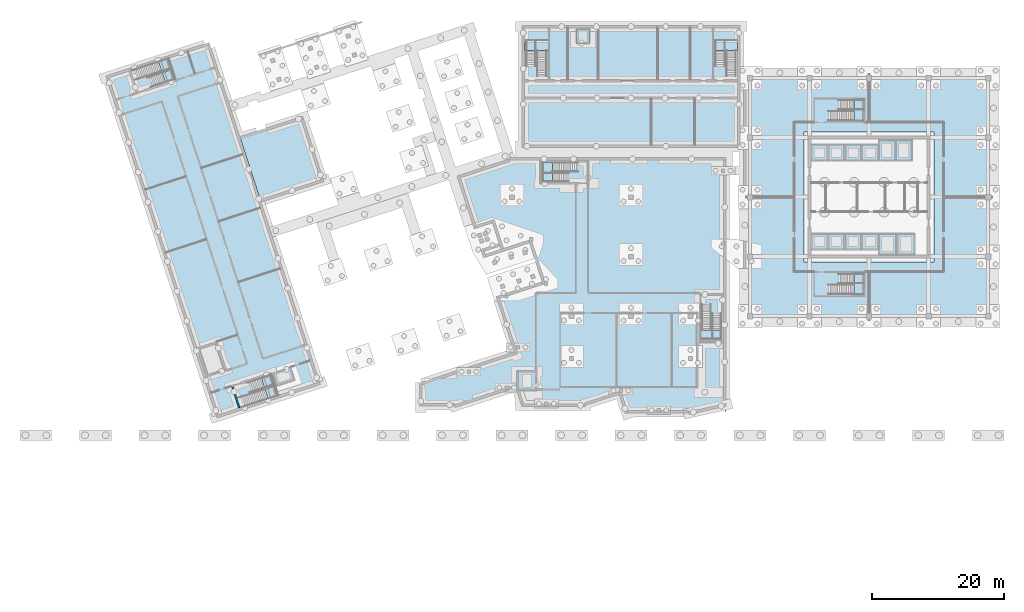
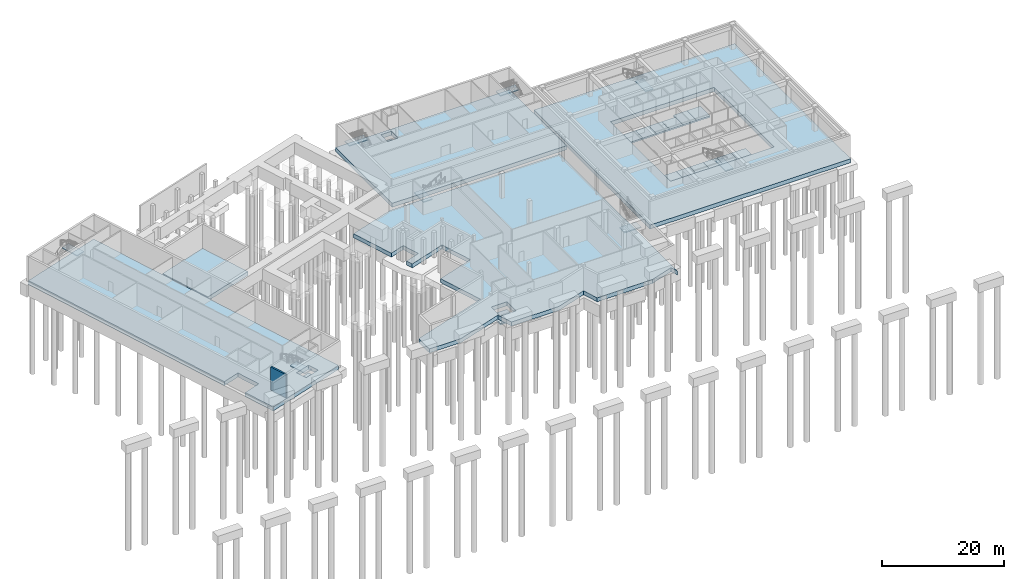
# One storey, part 6 of 17: 28 slabs, 1 wall, 8 elements without a shape of their own.
"""IFC4 building model written with IfcOpenShell, lengths in metres."""

from ifc_helpers import new_model, si_unit, direction, frame, frame_2d, origin, place, context, subcontext, project, spatial, polyline, rectangle, outline, extrude, material, layer, layer_set, type_object, element, aggregate, save


model = new_model("IFC4")

# Units and contexts
model_context = context("Model", 3, precision=1e-05, world=origin(), true_north=direction((0.0, 1.0)))
body_context = subcontext(model_context, "Body", "Model", "MODEL_VIEW")
ifc_project = project(units=[si_unit("LENGTHUNIT", "METRE"), si_unit("AREAUNIT", "SQUARE_METRE"), si_unit("VOLUMEUNIT", "CUBIC_METRE"), si_unit("PLANEANGLEUNIT", "RADIAN"), si_unit("MASSUNIT", "GRAM", prefix="KILO")], contexts=[model_context])

# Site, building, storey
site_placement = place(None, origin())
site = spatial("IfcSite", under=ifc_project, at=site_placement, CompositionType="ELEMENT")
building_placement = place(site_placement, origin())
building = spatial("IfcBuilding", under=site, at=building_placement, Name="Tuart Plaza Theatre", CompositionType="ELEMENT")
storey_placement = place(building_placement, frame((0.0, 0.0, -10.0)))
storey = spatial("IfcBuildingStorey", under=building, at=storey_placement, Name="B2", CompositionType="ELEMENT", Elevation=-10.0)

# Slabs
ifc_material_1 = material(Name="Concrete N40 (40 MPa)", Category="concrete")
ifc_layer_1 = layer(ifc_material_1, 0.300048828125)
ifc_layer_set_1 = layer_set([ifc_layer_1], Name="SLAB Base 300 Concrete N40 (40 MPa)")
slab_type_1 = type_object("IfcSlabType", Name="SLAB Base 300 Concrete N40 (40 MPa)", PredefinedType="BASESLAB", material=ifc_layer_set_1)
slab_1_placement = place(storey_placement, frame((0.0, 0.0, -1.800048828125)))
element("IfcSlab", 1, at=slab_1_placement, inside=storey, type_object=slab_type_1, Name="S14", PredefinedType="BASESLAB", context=body_context, shape_type="SweptSolid", body=[
    extrude(outline(polyline([(45.178466796875, 46.321533203125), (44.529541015625, 48.31884765625), (41.771484375, 47.422607421875), (42.42041015625, 45.425537109375), (45.178466796875, 46.321533203125)])), origin(), (0.0, 0.0, 1.0), 0.300048828125),
])
slab_2_placement = place(storey_placement, frame((0.0, 0.0, -1.800048828125)))
element("IfcSlab", 2, at=slab_2_placement, inside=storey, type_object=slab_type_1, Name="S64", PredefinedType="BASESLAB", context=body_context, shape_type="SweptSolid", body=[
    extrude(outline(polyline([(81.75, 44.75), (81.75, 47.75), (78.75, 47.75), (78.75, 44.75), (81.75, 44.75)])), origin(), (0.0, 0.0, 1.0), 0.300048828125),
])
slab_3_placement = place(storey_placement, frame((0.0, 0.0, -1.800048828125)))
element("IfcSlab", 3, at=slab_3_placement, inside=storey, type_object=slab_type_1, Name="S111", PredefinedType="BASESLAB", context=body_context, shape_type="SweptSolid", body=[
    extrude(outline(polyline([(89.739990234375, 97.199951171875), (89.739990234375, 99.39990234375), (87.739990234375, 99.39990234375), (87.739990234375, 97.199951171875), (89.739990234375, 97.199951171875)])), origin(), (0.0, 0.0, 1.0), 0.300048828125),
])
slab_4_placement = place(storey_placement, frame((0.0, 0.0, -2.199951171875)))
element("IfcSlab", 4, at=slab_4_placement, inside=storey, type_object=slab_type_1, Name="S112", PredefinedType="BASESLAB", context=body_context, shape_type="SweptSolid", body=[
    extrude(outline(polyline([(125.77490234375, 66.02490234375), (125.77490234375, 68.52490234375), (123.22509765625, 68.52490234375), (123.22509765625, 66.02490234375), (125.77490234375, 66.02490234375)])), origin(), (0.0, 0.0, 1.0), 0.300048828125),
])
slab_5_placement = place(storey_placement, frame((0.0, 0.0, -2.199951171875)))
element("IfcSlab", 5, at=slab_5_placement, inside=storey, type_object=slab_type_1, Name="S113", PredefinedType="BASESLAB", context=body_context, shape_type="SweptSolid", body=[
    extrude(outline(polyline([(128.324951171875, 66.02490234375), (128.324951171875, 68.52490234375), (125.77490234375, 68.52490234375), (125.77490234375, 66.02490234375), (128.324951171875, 66.02490234375)])), origin(), (0.0, 0.0, 1.0), 0.300048828125),
])
slab_6_placement = place(storey_placement, frame((0.0, 0.0, -2.199951171875)))
element("IfcSlab", 6, at=slab_6_placement, inside=storey, type_object=slab_type_1, Name="S114", PredefinedType="BASESLAB", context=body_context, shape_type="SweptSolid", body=[
    extrude(outline(polyline([(130.875, 66.02490234375), (130.875, 68.52490234375), (128.324951171875, 68.52490234375), (128.324951171875, 66.02490234375), (130.875, 66.02490234375)])), origin(), (0.0, 0.0, 1.0), 0.300048828125),
])
slab_7_placement = place(storey_placement, frame((0.0, 0.0, -2.199951171875)))
element("IfcSlab", 7, at=slab_7_placement, inside=storey, type_object=slab_type_1, Name="S115", PredefinedType="BASESLAB", context=body_context, shape_type="SweptSolid", body=[
    extrude(outline(polyline([(133.425048828125, 66.02490234375), (133.425048828125, 68.52490234375), (130.875, 68.52490234375), (130.875, 66.02490234375), (133.425048828125, 66.02490234375)])), origin(), (0.0, 0.0, 1.0), 0.300048828125),
])
slab_8_placement = place(storey_placement, frame((0.0, 0.0, -2.199951171875)))
element("IfcSlab", 8, at=slab_8_placement, inside=storey, type_object=slab_type_1, Name="S116", PredefinedType="BASESLAB", context=body_context, shape_type="SweptSolid", body=[
    extrude(outline(polyline([(125.77490234375, 79.47509765625), (125.77490234375, 81.97509765625), (123.22509765625, 81.97509765625), (123.22509765625, 79.47509765625), (125.77490234375, 79.47509765625)])), origin(), (0.0, 0.0, 1.0), 0.300048828125),
])
slab_9_placement = place(storey_placement, frame((0.0, 0.0, -2.199951171875)))
element("IfcSlab", 9, at=slab_9_placement, inside=storey, type_object=slab_type_1, Name="S117", PredefinedType="BASESLAB", context=body_context, shape_type="SweptSolid", body=[
    extrude(outline(polyline([(128.324951171875, 79.47509765625), (128.324951171875, 81.97509765625), (125.77490234375, 81.97509765625), (125.77490234375, 79.47509765625), (128.324951171875, 79.47509765625)])), origin(), (0.0, 0.0, 1.0), 0.300048828125),
])
slab_10_placement = place(storey_placement, frame((0.0, 0.0, -2.199951171875)))
element("IfcSlab", 10, at=slab_10_placement, inside=storey, type_object=slab_type_1, Name="S118", PredefinedType="BASESLAB", context=body_context, shape_type="SweptSolid", body=[
    extrude(outline(polyline([(130.875, 79.47509765625), (130.875, 81.97509765625), (128.324951171875, 81.97509765625), (128.324951171875, 79.47509765625), (130.875, 79.47509765625)])), origin(), (0.0, 0.0, 1.0), 0.300048828125),
])
slab_11_placement = place(storey_placement, frame((0.0, 0.0, -2.199951171875)))
element("IfcSlab", 11, at=slab_11_placement, inside=storey, type_object=slab_type_1, Name="S119", PredefinedType="BASESLAB", context=body_context, shape_type="SweptSolid", body=[
    extrude(outline(polyline([(133.425048828125, 79.47509765625), (133.425048828125, 81.97509765625), (130.875, 81.97509765625), (130.875, 79.47509765625), (133.425048828125, 79.47509765625)])), origin(), (0.0, 0.0, 1.0), 0.300048828125),
])
slab_12_placement = place(storey_placement, frame((0.0, 0.0, -2.199951171875)))
element("IfcSlab", 12, at=slab_12_placement, inside=storey, type_object=slab_type_1, Name="S120", PredefinedType="BASESLAB", context=body_context, shape_type="SweptSolid", body=[
    extrude(outline(polyline([(136.175048828125, 65.22509765625), (136.175048828125, 68.52490234375), (133.425048828125, 68.52490234375), (133.425048828125, 65.22509765625), (136.175048828125, 65.22509765625)])), origin(), (0.0, 0.0, 1.0), 0.300048828125),
])
slab_13_placement = place(storey_placement, frame((0.0, 0.0, -2.199951171875)))
element("IfcSlab", 13, at=slab_13_placement, inside=storey, type_object=slab_type_1, Name="S121", PredefinedType="BASESLAB", context=body_context, shape_type="SweptSolid", body=[
    extrude(outline(polyline([(138.925048828125, 65.22509765625), (138.925048828125, 68.52490234375), (136.175048828125, 68.52490234375), (136.175048828125, 65.22509765625), (138.925048828125, 65.22509765625)])), origin(), (0.0, 0.0, 1.0), 0.300048828125),
])
slab_14_placement = place(storey_placement, frame((0.0, 0.0, -2.199951171875)))
element("IfcSlab", 14, at=slab_14_placement, inside=storey, type_object=slab_type_1, Name="S122", PredefinedType="BASESLAB", context=body_context, shape_type="SweptSolid", body=[
    extrude(outline(polyline([(135.97509765625, 79.47509765625), (135.97509765625, 82.675048828125), (133.425048828125, 82.675048828125), (133.425048828125, 79.47509765625), (135.97509765625, 79.47509765625)])), origin(), (0.0, 0.0, 1.0), 0.300048828125),
])
slab_15_placement = place(storey_placement, frame((0.0, 0.0, -2.199951171875)))
element("IfcSlab", 15, at=slab_15_placement, inside=storey, type_object=slab_type_1, Name="S123", PredefinedType="BASESLAB", context=body_context, shape_type="SweptSolid", body=[
    extrude(outline(polyline([(138.52490234375, 79.47509765625), (138.52490234375, 82.675048828125), (135.97509765625, 82.675048828125), (135.97509765625, 79.47509765625), (138.52490234375, 79.47509765625)])), origin(), (0.0, 0.0, 1.0), 0.300048828125),
])
ifc_material_2 = material(Name="Concrete N40 (40 MPa)", Category="concrete")
ifc_layer_2 = layer(ifc_material_2, 0.800048828125)
ifc_layer_set_2 = layer_set([ifc_layer_2], Name="SLAB Base 800 Concrete N40 (40 MPa)")
slab_type_2 = type_object("IfcSlabType", Name="SLAB Base 800 Concrete N40 (40 MPa)", PredefinedType="BASESLAB", material=ifc_layer_set_2)
slab_16_placement = place(storey_placement, frame((0.0, 0.0, -0.800048828125)))
element("IfcSlab", 16, at=slab_16_placement, inside=storey, type_object=slab_type_2, Name="S17", PredefinedType="BASESLAB", context=body_context, shape_type="SweptSolid", body=[
    extrude(outline(polyline([(33.395751953125, 52.16650390625), (34.817138671875, 47.791748046875), (31.631103515625, 46.756591796875), (33.547119140625, 40.85986328125), (48.763916015625, 45.80419921875), (32.076904296875, 97.161376953125), (16.860107421875, 92.217041015625), (30.209716796875, 51.13134765625), (33.395751953125, 52.16650390625)]), holes=[polyline([(44.529541015625, 48.31884765625), (41.771484375, 47.422607421875), (42.42041015625, 45.425537109375), (45.178466796875, 46.321533203125), (44.529541015625, 48.31884765625)])]), origin(), (0.0, 0.0, 1.0), 0.800048828125),
])
slab_17_placement = place(storey_placement, frame((0.0, 0.0, -0.800048828125)))
element("IfcSlab", 17, at=slab_17_placement, inside=storey, type_object=slab_type_2, Name="S18", PredefinedType="BASESLAB", context=body_context, shape_type="SweptSolid", body=[
    extrude(outline(polyline([(49.31298828125, 76.47509765625), (46.222900390625, 85.985595703125), (36.902587890625, 82.957275390625), (39.99267578125, 73.44677734375), (49.31298828125, 76.47509765625)])), origin(), (0.0, 0.0, 1.0), 0.800048828125),
])
slab_18_placement = place(storey_placement, frame((0.0, 0.0, -0.800048828125)))
element("IfcSlab", 18, at=slab_18_placement, inside=storey, type_object=slab_type_2, Name="S68", PredefinedType="BASESLAB", context=body_context, shape_type="SweptSolid", body=[
    extrude(outline(polyline([(79.501220703125, 42.347900390625), (88.4833984375, 42.347900390625), (94.205810546875, 44.207275390625), (95.134521484375, 41.348876953125), (105.61669921875, 41.348876953125), (109.91259765625, 42.74462890625), (110.34326171875, 41.419189453125), (110.343017578125, 79.967041015625), (78.246826171875, 79.967041015625), (69.70947265625, 77.193115234375), (72.292724609375, 69.2421875), (75.05078125, 70.13818359375), (76.0830078125, 66.9619140625), (73.324951171875, 66.065673828125), (73.71435546875, 64.8671875), (80.656982421875, 67.123046875), (82.585205078125, 61.1884765625), (75.642578125, 58.9326171875), (78.36181640625, 50.5634765625), (64.02001953125, 45.903564453125), (64.02001953125, 42.419921875), (69.996826171875, 42.419921875), (78.572265625, 45.206298828125), (79.501220703125, 42.347900390625)]), holes=[polyline([(78.75, 44.75), (81.75, 44.75), (81.75, 47.75), (78.75, 47.75), (78.75, 44.75)])]), origin(), (0.0, 0.0, 1.0), 0.800048828125),
])
slab_19_placement = place(storey_placement, frame((0.0, 0.0, -0.800048828125)))
element("IfcSlab", 19, at=slab_19_placement, inside=storey, type_object=slab_type_2, Name="S75", PredefinedType="BASESLAB", context=body_context, shape_type="SweptSolid", body=[
    extrude(outline(polyline([(151.0, 55.0), (151.0, 93.0), (113.0, 93.0), (113.0, 55.0), (151.0, 55.0)]), holes=[polyline([(141.824951171875, 83.824951171875), (122.175048828125, 83.824951171875), (122.175048828125, 64.175048828125), (141.824951171875, 64.175048828125), (141.824951171875, 83.824951171875)])]), origin(), (0.0, 0.0, 1.0), 0.800048828125),
])
slab_20_placement = place(storey_placement, frame((0.0, 0.0, -0.800048828125)))
element("IfcSlab", 20, at=slab_20_placement, inside=storey, type_object=slab_type_2, Name="S108", PredefinedType="BASESLAB", context=body_context, shape_type="SweptSolid", body=[
    extrude(outline(polyline([(112.5, 81.5), (112.5, 100.0), (79.5, 100.0), (79.5, 81.5), (112.5, 81.5)]), holes=[polyline([(87.739990234375, 97.199951171875), (89.739990234375, 97.199951171875), (89.739990234375, 99.39990234375), (87.739990234375, 99.39990234375), (87.739990234375, 97.199951171875)])]), origin(), (0.0, 0.0, 1.0), 0.800048828125),
])

# Stair, slab
ifc_material_3 = material(Name="Concrete N40 (40 MPa)", Category="concrete")
stair_type_1 = type_object("IfcStairType", Name="STAIR half turn 1600", PredefinedType="HALF_TURN_STAIR", material=ifc_material_3)
stair_1_placement = place(storey_placement, origin())
stair_1 = element("IfcStair", 21, at=stair_1_placement, inside=storey, type_object=stair_type_1, Name="SA-1", PredefinedType="HALF_TURN_STAIR")
ifc_material_4 = material(Name="Concrete N40 (40 MPa)", Category="concrete")
ifc_layer_3 = layer(ifc_material_4, 0.199951171875)
ifc_layer_set_3 = layer_set([ifc_layer_3], Name="STAIR LANDING 200")
slab_type_3 = type_object("IfcSlabType", Name="STAIR LANDING 200", PredefinedType="LANDING", material=ifc_layer_set_3)
slab_21_placement = place(storey_placement, frame((0.0, 0.0, 2.300048828125)))
slab_21 = element("IfcSlab", 22, at=slab_21_placement, type_object=slab_type_3, Name="SA-1 landing 1", PredefinedType="LANDING", context=body_context, shape_type="SweptSolid", body=[
    extrude(outline(polyline([(41.120361328125, 43.504638671875), (42.670654296875, 44.00830078125), (41.62841796875, 47.21630859375), (40.078125, 46.712646484375), (41.120361328125, 43.504638671875)])), origin(), (0.0, 0.0, 1.0), 0.199951171875),
])
aggregate(stair_1, [slab_21])

stair_2_placement = place(storey_placement, origin())
stair_2 = element("IfcStair", 23, at=stair_2_placement, inside=storey, type_object=stair_type_1, Name="SA-2", PredefinedType="HALF_TURN_STAIR")
slab_22_placement = place(storey_placement, frame((0.0, 0.0, 2.300048828125)))
slab_22 = element("IfcSlab", 24, at=slab_22_placement, type_object=slab_type_3, Name="SA-2 landing 1", PredefinedType="LANDING", context=body_context, shape_type="SweptSolid", body=[
    extrude(outline(polyline([(24.541748046875, 94.52880859375), (26.091796875, 95.032470703125), (27.13427734375, 91.82470703125), (25.583984375, 91.321044921875), (24.541748046875, 94.52880859375)])), origin(), (0.0, 0.0, 1.0), 0.199951171875),
])
aggregate(stair_2, [slab_22])

ifc_material_5 = material(Name="Concrete N40 (40 MPa)", Category="concrete")
stair_type_2 = type_object("IfcStairType", Name="STAIR half turn 1400", PredefinedType="HALF_TURN_STAIR", material=ifc_material_5)
stair_3_placement = place(storey_placement, origin())
stair_3 = element("IfcStair", 25, at=stair_3_placement, inside=storey, type_object=stair_type_2, Name="SB-11", PredefinedType="HALF_TURN_STAIR")
slab_23_placement = place(storey_placement, frame((0.0, 0.0, 2.300048828125)))
slab_23 = element("IfcSlab", 26, at=slab_23_placement, type_object=slab_type_3, Name="SB-11 landing 1", PredefinedType="LANDING", context=body_context, shape_type="SweptSolid", body=[
    extrude(outline(polyline([(106.60205078125, 53.89990234375), (106.60205078125, 52.201904296875), (109.748046875, 52.201904296875), (109.748046875, 53.89990234375), (106.60205078125, 53.89990234375)])), origin(), (0.0, 0.0, 1.0), 0.199951171875),
])
aggregate(stair_3, [slab_23])

stair_4_placement = place(storey_placement, origin())
stair_4 = element("IfcStair", 27, at=stair_4_placement, inside=storey, type_object=stair_type_2, Name="SB-13", PredefinedType="HALF_TURN_STAIR")
slab_24_placement = place(storey_placement, frame((0.0, 0.0, 2.300048828125)))
slab_24 = element("IfcSlab", 28, at=slab_24_placement, type_object=slab_type_3, Name="SB-13 landing 1", PredefinedType="LANDING", context=body_context, shape_type="SweptSolid", body=[
    extrude(outline(polyline([(84.10009765625, 79.347900390625), (82.402099609375, 79.347900390625), (82.402099609375, 76.201904296875), (84.10009765625, 76.201904296875), (84.10009765625, 79.347900390625)])), origin(), (0.0, 0.0, 1.0), 0.199951171875),
])
aggregate(stair_4, [slab_24])

ifc_material_6 = material(Name="Concrete N40 (40 MPa)", Category="concrete")
stair_type_3 = type_object("IfcStairType", Name="STAIR half turn 1500", PredefinedType="HALF_TURN_STAIR", material=ifc_material_6)
stair_5_placement = place(storey_placement, origin())
stair_5 = element("IfcStair", 29, at=stair_5_placement, inside=storey, type_object=stair_type_3, Name="SC-19", PredefinedType="HALF_TURN_STAIR")
slab_25_placement = place(storey_placement, frame((0.0, 0.0, 2.300048828125)))
slab_25 = element("IfcSlab", 30, at=slab_25_placement, type_object=slab_type_3, Name="SC-19 landing 1", PredefinedType="LANDING", context=body_context, shape_type="SweptSolid", body=[
    extrude(outline(polyline([(129.699951171875, 59.177001953125), (131.22998046875, 59.177001953125), (131.22998046875, 62.572998046875), (129.699951171875, 62.572998046875), (129.699951171875, 59.177001953125)])), origin(), (0.0, 0.0, 1.0), 0.199951171875),
])
aggregate(stair_5, [slab_25])

stair_6_placement = place(storey_placement, origin())
stair_6 = element("IfcStair", 31, at=stair_6_placement, inside=storey, type_object=stair_type_3, Name="SC-21", PredefinedType="HALF_TURN_STAIR")
slab_26_placement = place(storey_placement, frame((0.0, 0.0, 2.300048828125)))
slab_26 = element("IfcSlab", 32, at=slab_26_placement, type_object=slab_type_3, Name="SC-21 landing 1", PredefinedType="LANDING", context=body_context, shape_type="SweptSolid", body=[
    extrude(outline(polyline([(129.699951171875, 85.427001953125), (131.22998046875, 85.427001953125), (131.22998046875, 88.822998046875), (129.699951171875, 88.822998046875), (129.699951171875, 85.427001953125)])), origin(), (0.0, 0.0, 1.0), 0.199951171875),
])
aggregate(stair_6, [slab_26])

stair_7_placement = place(storey_placement, origin())
stair_7 = element("IfcStair", 33, at=stair_7_placement, inside=storey, type_object=stair_type_3, Name="SD-1", PredefinedType="HALF_TURN_STAIR")
slab_27_placement = place(storey_placement, frame((0.0, 0.0, 2.300048828125)))
slab_27 = element("IfcSlab", 34, at=slab_27_placement, type_object=slab_type_3, Name="SD-1 landing 1", PredefinedType="LANDING", context=body_context, shape_type="SweptSolid", body=[
    extrude(outline(polyline([(83.498046875, 96.199951171875), (83.498046875, 97.72998046875), (79.902099609375, 97.72998046875), (79.902099609375, 96.199951171875), (83.498046875, 96.199951171875)])), origin(), (0.0, 0.0, 1.0), 0.199951171875),
])
aggregate(stair_7, [slab_27])

stair_8_placement = place(storey_placement, origin())
stair_8 = element("IfcStair", 35, at=stair_8_placement, inside=storey, type_object=stair_type_3, Name="SD-2", PredefinedType="HALF_TURN_STAIR")
slab_28_placement = place(storey_placement, frame((0.0, 0.0, 2.300048828125)))
slab_28 = element("IfcSlab", 36, at=slab_28_placement, type_object=slab_type_3, Name="SD-2 landing 1", PredefinedType="LANDING", context=body_context, shape_type="SweptSolid", body=[
    extrude(outline(polyline([(112.097900390625, 96.199951171875), (112.097900390625, 97.72998046875), (108.501953125, 97.72998046875), (108.501953125, 96.199951171875), (112.097900390625, 96.199951171875)])), origin(), (0.0, 0.0, 1.0), 0.199951171875),
])
aggregate(stair_8, [slab_28])

# Wall
ifc_material_7 = material(Name="Concrete N40 (40 MPa)", Category="concrete")
ifc_layer_4 = layer(ifc_material_7, 0.300048828125)
ifc_layer_set_4 = layer_set([ifc_layer_4], Name="WALL RC300 LB FRL 120/120/120")
wall_type = type_object("IfcWallType", Name="WALL RC300 LB FRL 120/120/120", PredefinedType="SOLIDWALL", material=ifc_layer_set_4)
wall_placement = place(storey_placement, frame((35.731201171875, 45.30224609375, 0.0), z_axis=(0.0, 0.0, 1.0), x_axis=(0.309003676349, -0.951060843481, 0.0)))
element("IfcWall", 37, at=wall_placement, inside=storey, type_object=wall_type, Name="W98", PredefinedType="SOLIDWALL", context=body_context, shape_type="SweptSolid", body=[
    extrude(rectangle(XDim=3.35009765625, YDim=0.300048828125, at=frame_2d((1.675048828125, 0.0))), origin(), (0.0, 0.0, 1.0), 4.64990234375),
])

save(model, "model.ifc")
